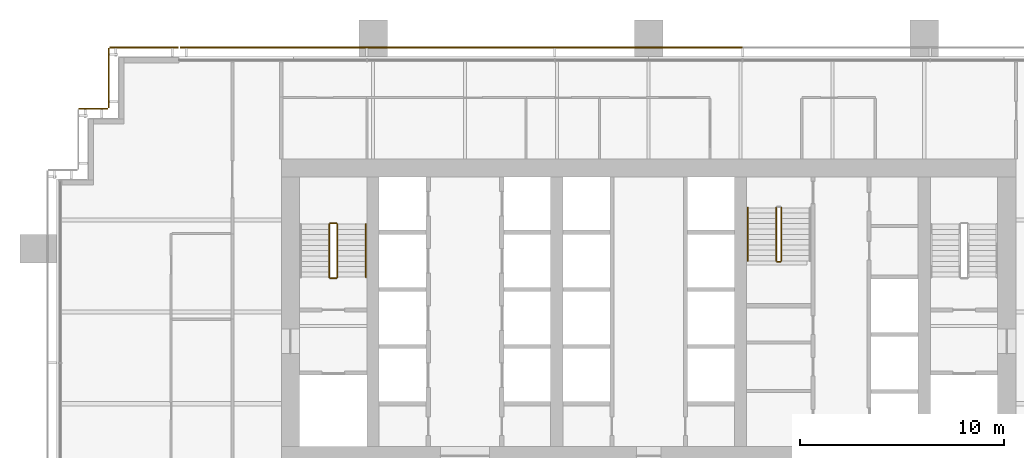
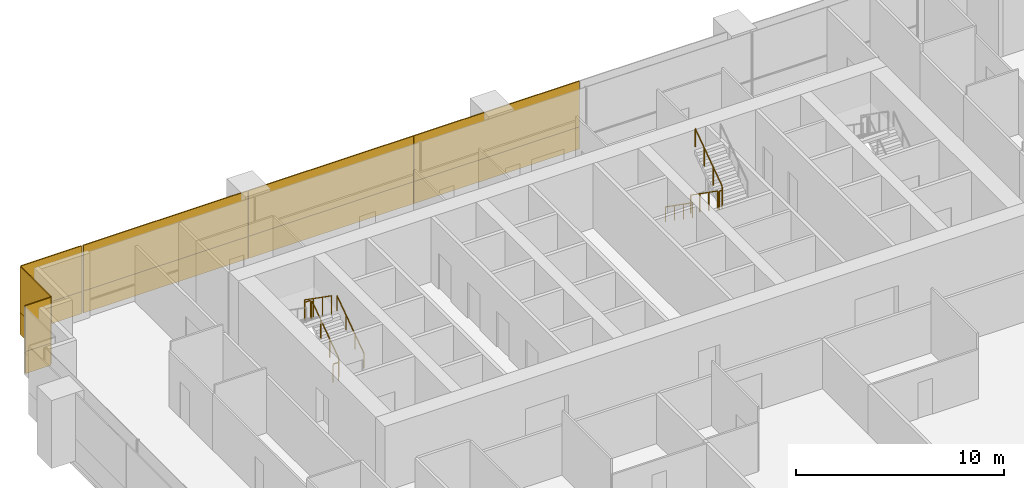
# One storey, part 16 of 17: 12 coverings, 9 railings.
"""IFC4 building model written with IfcOpenShell, lengths in metres."""

from ifc_helpers import new_model, si_unit, direction, frame, origin, origin_2d, place, context, subcontext, project, spatial, rectangle, extrude, material, layer, layer_set, type_object, element, save


model = new_model("IFC4")

# Units and contexts
model_context = context("Model", 3, precision=1e-05, world=origin(), true_north=direction((0.0, 1.0)))
body_context = subcontext(model_context, "Body", "Model", "MODEL_VIEW")
ifc_project = project(units=[si_unit("LENGTHUNIT", "METRE"), si_unit("AREAUNIT", "SQUARE_METRE"), si_unit("VOLUMEUNIT", "CUBIC_METRE"), si_unit("PLANEANGLEUNIT", "RADIAN"), si_unit("MASSUNIT", "GRAM", prefix="KILO")], contexts=[model_context])

# Site, building, storey
site_placement = place(None, origin())
site = spatial("IfcSite", under=ifc_project, at=site_placement, CompositionType="ELEMENT")
building_placement = place(site_placement, origin())
building = spatial("IfcBuilding", under=site, at=building_placement, Name="Rattan Terrace Tower", CompositionType="ELEMENT")
storey_placement = place(building_placement, frame((0.0, 0.0, 146.10009765625)))
storey = spatial("IfcBuildingStorey", under=building, at=storey_placement, Name="L33", CompositionType="ELEMENT", Elevation=146.10009765625)

# Railings
ifc_material_1 = material(Name="Powder-coated steel guard", Category="steel")
railing_type_1 = type_object("IfcRailingType", Name="Core stair guard", PredefinedType="GUARDRAIL", material=ifc_material_1)
railing_1_placement = place(storey_placement, frame((-15.25, 1.699951171875, 0.181640625)))
element("IfcRailing", 1, at=railing_1_placement, inside=storey, type_object=railing_type_1, Name="L33 S1 stair guard 1", PredefinedType="GUARDRAIL", context=body_context, shape_type="SweptSolid", body=[
    extrude(rectangle(XDim=0.048095703125, YDim=0.048095703125, at=origin_2d()), frame((0.0, 0.0, 1.076171875), z_axis=(0.0, 0.819484887739, 0.573100792852), x_axis=(-1.0, 0.0, 0.0)), (0.0, 0.0, 1.0), 3.1728515625),
    extrude(rectangle(XDim=0.0419921875, YDim=0.0419921875, at=origin_2d()), origin(), (0.0, 0.0, 1.0), 1.052001953125),
    extrude(rectangle(XDim=0.0419921875, YDim=0.0419921875, at=origin_2d()), frame((0.0, 0.86669921875, 0.606201171875)), (0.0, 0.0, 1.0), 1.052001953125),
    extrude(rectangle(XDim=0.0419921875, YDim=0.0419921875, at=origin_2d()), frame((0.0, 1.7333984375, 1.212158203125)), (0.0, 0.0, 1.0), 1.052001953125),
    extrude(rectangle(XDim=0.0419921875, YDim=0.0419921875, at=origin_2d()), frame((0.0, 2.60009765625, 1.818359375)), (0.0, 0.0, 1.0), 1.052001953125),
])
railing_2_placement = place(storey_placement, frame((-15.300048828125, 4.35009765625, 2.0)))
element("IfcRailing", 2, at=railing_2_placement, inside=storey, type_object=railing_type_1, Name="L33 S1 stair guard 2", PredefinedType="GUARDRAIL", context=body_context, shape_type="SweptSolid", body=[
    extrude(rectangle(XDim=0.048095703125, YDim=0.048095703125, at=origin_2d()), frame((0.0, 0.0, 1.076171875), z_axis=(-1.0, 0.0, 0.0), x_axis=(0.0, -1.0, 0.0)), (0.0, 0.0, 1.0), 0.300048828125),
    extrude(rectangle(XDim=0.0419921875, YDim=0.0419921875, at=origin_2d()), origin(), (0.0, 0.0, 1.0), 1.052001953125),
    extrude(rectangle(XDim=0.0419921875, YDim=0.0419921875, at=origin_2d()), frame((-0.300048828125, 0.0, 0.0)), (0.0, 0.0, 1.0), 1.052001953125),
])
railing_3_placement = place(storey_placement, frame((-15.64990234375, 4.300048828125, 2.181640625)))
element("IfcRailing", 3, at=railing_3_placement, inside=storey, type_object=railing_type_1, Name="L33 S1 stair guard 3", PredefinedType="GUARDRAIL", context=body_context, shape_type="SweptSolid", body=[
    extrude(rectangle(XDim=0.048095703125, YDim=0.048095703125, at=origin_2d()), frame((0.0, 0.0, 1.076171875), z_axis=(0.0, -0.819484887739, 0.573100792852), x_axis=(1.0, 0.0, 0.0)), (0.0, 0.0, 1.0), 3.1728515625),
    extrude(rectangle(XDim=0.0419921875, YDim=0.0419921875, at=origin_2d()), origin(), (0.0, 0.0, 1.0), 1.052001953125),
    extrude(rectangle(XDim=0.0419921875, YDim=0.0419921875, at=origin_2d()), frame((0.0, -0.86669921875, 0.606201171875)), (0.0, 0.0, 1.0), 1.052001953125),
    extrude(rectangle(XDim=0.0419921875, YDim=0.0419921875, at=origin_2d()), frame((0.0, -1.7333984375, 1.212158203125)), (0.0, 0.0, 1.0), 1.052001953125),
    extrude(rectangle(XDim=0.0419921875, YDim=0.0419921875, at=origin_2d()), frame((0.0, -2.60009765625, 1.818359375)), (0.0, 0.0, 1.0), 1.052001953125),
])
railing_4_placement = place(storey_placement, frame((-15.300048828125, 1.64990234375, 0.0)))
element("IfcRailing", 4, at=railing_4_placement, inside=storey, type_object=railing_type_1, Name="L33 S1 stair guard 4", PredefinedType="GUARDRAIL", context=body_context, shape_type="SweptSolid", body=[
    extrude(rectangle(XDim=0.048095703125, YDim=0.048095703125, at=origin_2d()), frame((0.0, 0.0, 1.076171875), z_axis=(-1.0, 0.0, 0.0), x_axis=(0.0, -1.0, 0.0)), (0.0, 0.0, 1.0), 0.300048828125),
    extrude(rectangle(XDim=0.0419921875, YDim=0.0419921875, at=origin_2d()), origin(), (0.0, 0.0, 1.0), 1.052001953125),
    extrude(rectangle(XDim=0.0419921875, YDim=0.0419921875, at=origin_2d()), frame((-0.300048828125, 0.0, 0.0)), (0.0, 0.0, 1.0), 1.052001953125),
])
railing_5_placement = place(storey_placement, frame((6.25, 5.10009765625, 0.181640625)))
element("IfcRailing", 5, at=railing_5_placement, inside=storey, type_object=railing_type_1, Name="L33 S3 stair guard 1", PredefinedType="GUARDRAIL", context=body_context, shape_type="SweptSolid", body=[
    extrude(rectangle(XDim=0.048095703125, YDim=0.048095703125, at=origin_2d()), frame((0.0, 0.0, 1.076171875), z_axis=(0.0, -0.819484887739, 0.573100792852), x_axis=(1.0, 0.0, 0.0)), (0.0, 0.0, 1.0), 3.1728515625),
    extrude(rectangle(XDim=0.0419921875, YDim=0.0419921875, at=origin_2d()), origin(), (0.0, 0.0, 1.0), 1.052001953125),
    extrude(rectangle(XDim=0.0419921875, YDim=0.0419921875, at=origin_2d()), frame((0.0, -0.86669921875, 0.606201171875)), (0.0, 0.0, 1.0), 1.052001953125),
    extrude(rectangle(XDim=0.0419921875, YDim=0.0419921875, at=origin_2d()), frame((0.0, -1.7333984375, 1.212158203125)), (0.0, 0.0, 1.0), 1.052001953125),
    extrude(rectangle(XDim=0.0419921875, YDim=0.0419921875, at=origin_2d()), frame((0.0, -2.60009765625, 1.818359375)), (0.0, 0.0, 1.0), 1.052001953125),
])
railing_6_placement = place(storey_placement, frame((6.300048828125, 2.449951171875, 2.0)))
element("IfcRailing", 6, at=railing_6_placement, inside=storey, type_object=railing_type_1, Name="L33 S3 stair guard 2", PredefinedType="GUARDRAIL", context=body_context, shape_type="SweptSolid", body=[
    extrude(rectangle(XDim=0.048095703125, YDim=0.048095703125, at=origin_2d()), frame((0.0, 0.0, 1.076171875), z_axis=(1.0, 0.0, 0.0), x_axis=(0.0, 1.0, 0.0)), (0.0, 0.0, 1.0), 0.14990234375),
    extrude(rectangle(XDim=0.0419921875, YDim=0.0419921875, at=origin_2d()), origin(), (0.0, 0.0, 1.0), 1.052001953125),
    extrude(rectangle(XDim=0.0419921875, YDim=0.0419921875, at=origin_2d()), frame((0.14990234375, 0.0, 0.0)), (0.0, 0.0, 1.0), 1.052001953125),
])
railing_7_placement = place(storey_placement, frame((6.5, 2.5, 2.181640625)))
element("IfcRailing", 7, at=railing_7_placement, inside=storey, type_object=railing_type_1, Name="L33 S3 stair guard 3", PredefinedType="GUARDRAIL", context=body_context, shape_type="SweptSolid", body=[
    extrude(rectangle(XDim=0.048095703125, YDim=0.048095703125, at=origin_2d()), frame((0.0, 0.0, 1.076171875), z_axis=(0.0, 0.819484887739, 0.573100792852), x_axis=(-1.0, 0.0, 0.0)), (0.0, 0.0, 1.0), 3.1728515625),
    extrude(rectangle(XDim=0.0419921875, YDim=0.0419921875, at=origin_2d()), origin(), (0.0, 0.0, 1.0), 1.052001953125),
    extrude(rectangle(XDim=0.0419921875, YDim=0.0419921875, at=origin_2d()), frame((0.0, 0.86669921875, 0.606201171875)), (0.0, 0.0, 1.0), 1.052001953125),
    extrude(rectangle(XDim=0.0419921875, YDim=0.0419921875, at=origin_2d()), frame((0.0, 1.7333984375, 1.212158203125)), (0.0, 0.0, 1.0), 1.052001953125),
    extrude(rectangle(XDim=0.0419921875, YDim=0.0419921875, at=origin_2d()), frame((0.0, 2.60009765625, 1.818359375)), (0.0, 0.0, 1.0), 1.052001953125),
])
ifc_material_2 = material(Name="Powder-coated steel handrail", Category="steel")
railing_type_2 = type_object("IfcRailingType", Name="Core stair handrail", PredefinedType="HANDRAIL", material=ifc_material_2)
railing_8_placement = place(storey_placement, frame((-13.85009765625, 1.699951171875, 0.181640625)))
element("IfcRailing", 8, at=railing_8_placement, inside=storey, type_object=railing_type_2, Name="L33 S1 stair handrail 1", PredefinedType="HANDRAIL", context=body_context, shape_type="SweptSolid", body=[
    extrude(rectangle(XDim=0.048095703125, YDim=0.048095703125, at=origin_2d()), frame((0.0, 0.0, 0.8759765625), z_axis=(0.0, 0.819484887739, 0.573100792852), x_axis=(-1.0, 0.0, 0.0)), (0.0, 0.0, 1.0), 3.1728515625),
    extrude(rectangle(XDim=0.0419921875, YDim=0.0419921875, at=origin_2d()), origin(), (0.0, 0.0, 1.0), 0.851806640625),
    extrude(rectangle(XDim=0.0419921875, YDim=0.0419921875, at=origin_2d()), frame((0.0, 0.86669921875, 0.606201171875)), (0.0, 0.0, 1.0), 0.851806640625),
    extrude(rectangle(XDim=0.0419921875, YDim=0.0419921875, at=origin_2d()), frame((0.0, 1.7333984375, 1.212158203125)), (0.0, 0.0, 1.0), 0.851806640625),
    extrude(rectangle(XDim=0.0419921875, YDim=0.0419921875, at=origin_2d()), frame((0.0, 2.60009765625, 1.818359375)), (0.0, 0.0, 1.0), 0.851806640625),
])
railing_9_placement = place(storey_placement, frame((4.85009765625, 5.10009765625, 0.181640625)))
element("IfcRailing", 9, at=railing_9_placement, inside=storey, type_object=railing_type_2, Name="L33 S3 stair handrail 1", PredefinedType="HANDRAIL", context=body_context, shape_type="SweptSolid", body=[
    extrude(rectangle(XDim=0.048095703125, YDim=0.048095703125, at=origin_2d()), frame((0.0, 0.0, 0.8759765625), z_axis=(0.0, -0.819484887739, 0.573100792852), x_axis=(1.0, 0.0, 0.0)), (0.0, 0.0, 1.0), 3.1728515625),
    extrude(rectangle(XDim=0.0419921875, YDim=0.0419921875, at=origin_2d()), origin(), (0.0, 0.0, 1.0), 0.851806640625),
    extrude(rectangle(XDim=0.0419921875, YDim=0.0419921875, at=origin_2d()), frame((0.0, -0.86669921875, 0.606201171875)), (0.0, 0.0, 1.0), 0.851806640625),
    extrude(rectangle(XDim=0.0419921875, YDim=0.0419921875, at=origin_2d()), frame((0.0, -1.7333984375, 1.212158203125)), (0.0, 0.0, 1.0), 0.851806640625),
    extrude(rectangle(XDim=0.0419921875, YDim=0.0419921875, at=origin_2d()), frame((0.0, -2.60009765625, 1.818359375)), (0.0, 0.0, 1.0), 0.851806640625),
])

# Coverings
ifc_material_3 = material(Name="Solid terracotta", Category="masonry")
ifc_layer_1 = layer(ifc_material_3, 0.06005859375)
ifc_layer_set_1 = layer_set([ifc_layer_1], Name="Facade Terracotta Band Panel")
covering_type_1 = type_object("IfcCoveringType", Name="Facade Terracotta Band Panel", PredefinedType="CLADDING", material=ifc_layer_set_1)
for number, where, z_axis, x_axis, name in (
    (10, (-0.00244140625, 12.949951171875, -0.18994140625), (0.0, 0.0, 1.0), (-1.0, 0.0, 0.0), "OUTER SKIN panel L33-17A"),
    (11, (-9.20361328125, 12.949951171875, -0.18994140625), (0.0, 0.0, 1.0), (-1.0, 0.0, 0.0), "OUTER SKIN panel L33-18A"),
):
    element("IfcCovering", number, at=place(storey_placement, frame(where, z_axis=z_axis, x_axis=x_axis)), inside=storey, type_object=covering_type_1, Name=name, PredefinedType="CLADDING", context=body_context, shape_type="SweptSolid", body=[
        extrude(rectangle(XDim=9.180908203125, YDim=0.06005859375, at=origin_2d()), origin(), (0.0, 0.0, 1.0), 1.300048828125),
    ])
covering_1_placement = place(storey_placement, frame((-18.386962890625, 12.949951171875, -0.18994140625), z_axis=(0.0, 0.0, 1.0), x_axis=(-1.0, 0.0, 0.0)))
element("IfcCovering", 12, at=covering_1_placement, inside=storey, type_object=covering_type_1, Name="OUTER SKIN panel L33-19A", PredefinedType="CLADDING", context=body_context, shape_type="SweptSolid", body=[
    extrude(rectangle(XDim=9.14599609375, YDim=0.06005859375, at=origin_2d()), origin(), (0.0, 0.0, 1.0), 1.300048828125),
])
covering_2_placement = place(storey_placement, frame((-24.72509765625, 12.949951171875, -0.18994140625), z_axis=(0.0, 0.0, 1.0), x_axis=(-1.0, 0.0, 0.0)))
element("IfcCovering", 13, at=covering_2_placement, inside=storey, type_object=covering_type_1, Name="OUTER SKIN panel L33-20A", PredefinedType="CLADDING", context=body_context, shape_type="SweptSolid", body=[
    extrude(rectangle(XDim=3.3701171875, YDim=0.06005859375, at=origin_2d()), origin(), (0.0, 0.0, 1.0), 1.300048828125),
])
covering_3_placement = place(storey_placement, frame((-26.449951171875, 11.449951171875, -0.18994140625), z_axis=(0.0, 0.0, 1.0), x_axis=(0.0, -1.0, 0.0)))
element("IfcCovering", 14, at=covering_3_placement, inside=storey, type_object=covering_type_1, Name="OUTER SKIN panel L33-21A", PredefinedType="CLADDING", context=body_context, shape_type="SweptSolid", body=[
    extrude(rectangle(XDim=2.919921875, YDim=0.06005859375, at=origin_2d()), origin(), (0.0, 0.0, 1.0), 1.300048828125),
])
covering_4_placement = place(storey_placement, frame((-27.199951171875, 9.949951171875, -0.18994140625), z_axis=(0.0, 0.0, 1.0), x_axis=(-1.0, 0.0, 0.0)))
element("IfcCovering", 15, at=covering_4_placement, inside=storey, type_object=covering_type_1, Name="OUTER SKIN panel L33-22A", PredefinedType="CLADDING", context=body_context, shape_type="SweptSolid", body=[
    extrude(rectangle(XDim=1.419921875, YDim=0.06005859375, at=origin_2d()), origin(), (0.0, 0.0, 1.0), 1.300048828125),
])
ifc_material_4 = material(Name="Perforated terracotta", Category="masonry")
ifc_layer_2 = layer(ifc_material_4, 0.06005859375)
ifc_layer_set_2 = layer_set([ifc_layer_2], Name="Facade Terracotta Screen Panel")
covering_type_2 = type_object("IfcCoveringType", Name="Facade Terracotta Screen Panel", PredefinedType="CLADDING", material=ifc_layer_set_2)
for number, where, z_axis, x_axis, name in (
    (16, (-0.00244140625, 12.949951171875, 1.10986328125), (0.0, 0.0, 1.0), (-1.0, 0.0, 0.0), "OUTER SKIN panel L33-17B"),
    (17, (-9.20361328125, 12.949951171875, 1.10986328125), (0.0, 0.0, 1.0), (-1.0, 0.0, 0.0), "OUTER SKIN panel L33-18B"),
):
    element("IfcCovering", number, at=place(storey_placement, frame(where, z_axis=z_axis, x_axis=x_axis)), inside=storey, type_object=covering_type_2, Name=name, PredefinedType="CLADDING", context=body_context, shape_type="SweptSolid", body=[
        extrude(rectangle(XDim=9.180908203125, YDim=0.06005859375, at=origin_2d()), origin(), (0.0, 0.0, 1.0), 2.679931640625),
    ])
covering_5_placement = place(storey_placement, frame((-18.386962890625, 12.949951171875, 1.10986328125), z_axis=(0.0, 0.0, 1.0), x_axis=(-1.0, 0.0, 0.0)))
element("IfcCovering", 18, at=covering_5_placement, inside=storey, type_object=covering_type_2, Name="OUTER SKIN panel L33-19B", PredefinedType="CLADDING", context=body_context, shape_type="SweptSolid", body=[
    extrude(rectangle(XDim=9.14599609375, YDim=0.06005859375, at=origin_2d()), origin(), (0.0, 0.0, 1.0), 2.679931640625),
])
covering_6_placement = place(storey_placement, frame((-24.72509765625, 12.949951171875, 1.10986328125), z_axis=(0.0, 0.0, 1.0), x_axis=(-1.0, 0.0, 0.0)))
element("IfcCovering", 19, at=covering_6_placement, inside=storey, type_object=covering_type_2, Name="OUTER SKIN panel L33-20B", PredefinedType="CLADDING", context=body_context, shape_type="SweptSolid", body=[
    extrude(rectangle(XDim=3.3701171875, YDim=0.06005859375, at=origin_2d()), origin(), (0.0, 0.0, 1.0), 2.679931640625),
])
covering_7_placement = place(storey_placement, frame((-26.449951171875, 11.449951171875, 1.10986328125), z_axis=(0.0, 0.0, 1.0), x_axis=(0.0, -1.0, 0.0)))
element("IfcCovering", 20, at=covering_7_placement, inside=storey, type_object=covering_type_2, Name="OUTER SKIN panel L33-21B", PredefinedType="CLADDING", context=body_context, shape_type="SweptSolid", body=[
    extrude(rectangle(XDim=2.919921875, YDim=0.06005859375, at=origin_2d()), origin(), (0.0, 0.0, 1.0), 2.679931640625),
])
covering_8_placement = place(storey_placement, frame((-27.199951171875, 9.949951171875, 1.10986328125), z_axis=(0.0, 0.0, 1.0), x_axis=(-1.0, 0.0, 0.0)))
element("IfcCovering", 21, at=covering_8_placement, inside=storey, type_object=covering_type_2, Name="OUTER SKIN panel L33-22B", PredefinedType="CLADDING", context=body_context, shape_type="SweptSolid", body=[
    extrude(rectangle(XDim=1.419921875, YDim=0.06005859375, at=origin_2d()), origin(), (0.0, 0.0, 1.0), 2.679931640625),
])

save(model, "model.ifc")
